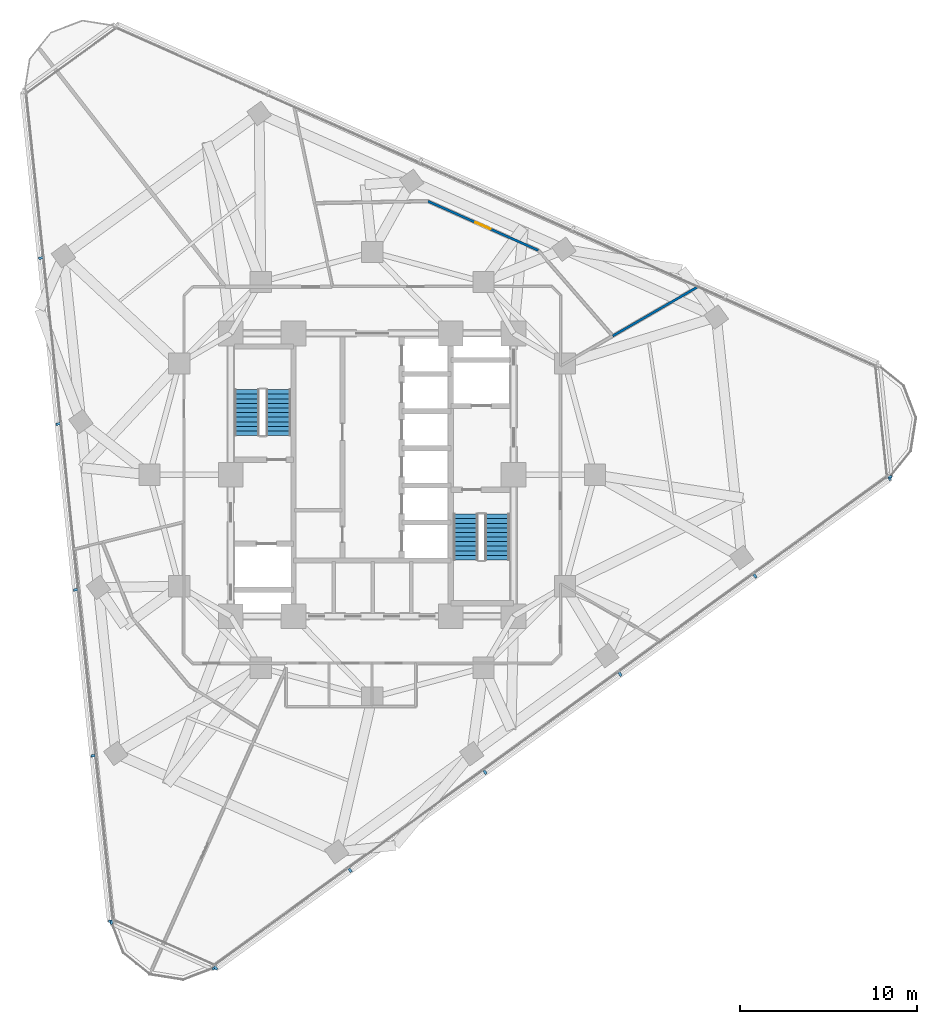
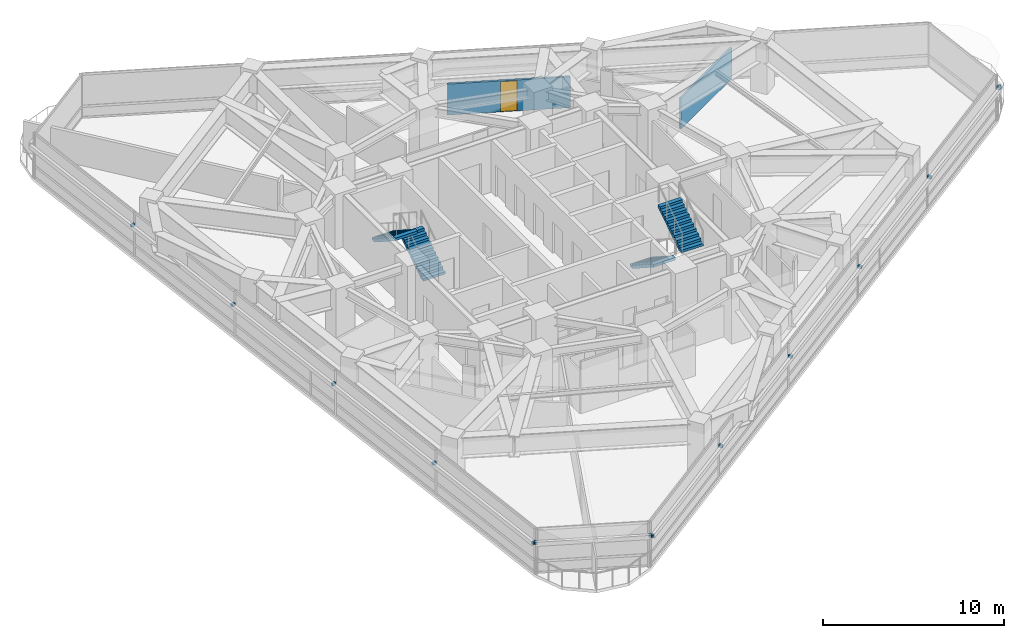
# One storey, part 10 of 14: 14 discrete accessories, 4 stair flights, 2 walls, 1 door, 1 opening, 2 elements without a shape of their own.
"""IFC4 building model written with IfcOpenShell, lengths in metres."""

from ifc_helpers import new_model, si_unit, direction, frame, frame_2d, origin, origin_2d, place, context, subcontext, project, spatial, polyline, rectangle, outline, extrude, material, layer, layer_set, type_object, element, fill, aggregate, save


model = new_model("IFC4")

# Units and contexts
model_context = context("Model", 3, precision=1e-05, world=origin(), true_north=direction((0.0, 1.0)))
body_context = subcontext(model_context, "Body", "Model", "MODEL_VIEW")
ifc_project = project(units=[si_unit("LENGTHUNIT", "METRE"), si_unit("AREAUNIT", "SQUARE_METRE"), si_unit("VOLUMEUNIT", "CUBIC_METRE"), si_unit("PLANEANGLEUNIT", "RADIAN"), si_unit("MASSUNIT", "GRAM", prefix="KILO")], contexts=[model_context])

# Site, building, storey
site_placement = place(None, origin())
site = spatial("IfcSite", under=ifc_project, at=site_placement, CompositionType="ELEMENT")
building_placement = place(site_placement, origin())
building = spatial("IfcBuilding", under=site, at=building_placement, Name="Terralouvre Media Tower", CompositionType="ELEMENT")
storey_placement = place(building_placement, frame((0.0, 0.0, 180.5)))
storey = spatial("IfcBuildingStorey", under=building, at=storey_placement, Name="L46", CompositionType="ELEMENT", Elevation=180.5)

# Wall
ifc_material_1 = material(Name="Fire-rated gypsum board drywall partition")
ifc_layer = layer(ifc_material_1, 0.135009765625, Name="Newsroom Acoustic Partition PT-135")
ifc_layer_set = layer_set([ifc_layer], Name="Fire-rated gypsum board drywall partition")
wall_type = type_object("IfcWallType", Name="Newsroom Acoustic Partition PT-135", PredefinedType="PARTITIONING", material=ifc_layer_set)
wall_1_placement = place(storey_placement, frame((18.460205078125, 10.658447265625, 0.0), z_axis=(0.0, 0.0, 1.0), x_axis=(-0.865978736514, -0.500080821373, 0.0)))
element("IfcWall", 1, at=wall_1_placement, inside=storey, type_object=wall_type, Name="L46 Interior Partition 033", PredefinedType="PARTITIONING", context=body_context, shape_type="SweptSolid", body=[
    extrude(rectangle(XDim=5.60205078125, YDim=0.135009765625, at=frame_2d((2.801025390625, 0.0))), origin(), (0.0, 0.0, 1.0), 2.0849609375),
])

# Wall, opening, door
wall_2_placement = place(storey_placement, frame((3.14990234375, 15.48291015625, 0.0), z_axis=(0.0, 0.0, 1.0), x_axis=(0.913536073518, -0.406757719511, 0.0)))
wall_2 = element("IfcWall", 2, at=wall_2_placement, inside=storey, type_object=wall_type, Name="L46 Interior Partition 036", PredefinedType="PARTITIONING", context=body_context, shape_type="SweptSolid", body=[
    extrude(rectangle(XDim=6.83935546875, YDim=0.135009765625, at=frame_2d((3.419677734375, 0.0))), origin(), (0.0, 0.0, 1.0), 2.0849609375),
])
opening_placement = place(wall_2_placement, frame((2.959716796875, 0.0, 0.0)))
opening = element("IfcOpeningElement", 3, at=opening_placement, cuts=wall_2, Name="Opening ID-03-92X206", PredefinedType="OPENING", context=body_context, shape_type="SweptSolid", body=[
    extrude(rectangle(XDim=0.919921875, YDim=2.034912109375, at=frame_2d((0.4599609375, 1.017578125))), frame((0.0, 0.077392578125, 0.0), z_axis=(0.0, -1.0, 0.0), x_axis=(1.0, 0.0, 0.0)), (0.0, 0.0, 1.0), 0.155029296875),
])
ifc_material_2 = material(Name="Engineered hardwood acoustic timber leaf", Category="wood")
door_type = type_object("IfcDoorType", Name="Accessible Restroom and Suite Door ID-03 (920x2065)", OperationType="NOTDEFINED", PredefinedType="DOOR", material=ifc_material_2)
door_placement = place(opening_placement, origin())
door = element("IfcDoor", 4, at=door_placement, inside=storey, type_object=door_type, Name="L46 Staff Quiet Reading Club 5 Door", OperationType="SINGLE_SWING_RIGHT", OverallHeight=2.034912109375, OverallWidth=0.919921875, PredefinedType="DOOR", context=body_context, shape_type="SweptSolid", body=[
    extrude(rectangle(XDim=0.919921875, YDim=2.034912109375, at=frame_2d((0.4599609375, 1.017578125))), frame((0.0, 0.02490234375, 0.0), z_axis=(0.0, -1.0, 0.0), x_axis=(1.0, 0.0, 0.0)), (0.0, 0.0, 1.0), 0.050048828125),
])
fill(opening, door)

# Stair, stair flights
ifc_material_3 = material(Name="Concrete C45/55", Category="concrete")
stair_type_1 = type_object("IfcStairType", Name="Dogleg Stair Assembly ST-01", PredefinedType="HALF_TURN_STAIR", material=ifc_material_3)
stair_1_placement = place(storey_placement, origin())
stair_1 = element("IfcStair", 5, at=stair_1_placement, inside=storey, type_object=stair_type_1, Name="L46 Core Pressurised Exit Stair ST-01", PredefinedType="HALF_TURN_STAIR")
ifc_material_4 = material(Name="Concrete C45/55", Category="concrete")
stair_flight_type = type_object("IfcStairFlightType", Name="Reinforced Concrete Stair Flight SF-RC1", PredefinedType="STRAIGHT", material=ifc_material_4)
stair_flight_1_placement = place(storey_placement, frame((-5.300048828125, 2.219970703125, 0.0), z_axis=(0.0, 0.0, 1.0), x_axis=(0.0, 1.0, 0.0)))
stair_flight_1 = element("IfcStairFlight", 6, at=stair_flight_1_placement, type_object=stair_flight_type, Name="ST-01 flight 1", NumberOfRisers=11, NumberOfTreads=10, PredefinedType="STRAIGHT", RiserHeight=0.168181818, TreadLength=0.26, context=body_context, shape_type="SweptSolid", body=[
    extrude(outline(polyline([(0.0, 0.0), (0.0, 0.168212890625), (0.260009765625, 0.168212890625), (0.260009765625, 0.33642578125), (0.52001953125, 0.33642578125), (0.52001953125, 0.504638671875), (0.780029296875, 0.504638671875), (0.780029296875, 0.672607421875), (1.0400390625, 0.672607421875), (1.0400390625, 0.8408203125), (1.300048828125, 0.8408203125), (1.300048828125, 1.009033203125), (1.56005859375, 1.009033203125), (1.56005859375, 1.17724609375), (1.820068359375, 1.17724609375), (1.820068359375, 1.345458984375), (2.080078125, 1.345458984375), (2.080078125, 1.513671875), (2.340087890625, 1.513671875), (2.340087890625, 1.681884765625), (2.60009765625, 1.681884765625), (2.60009765625, 1.85009765625), (2.60009765625, 1.503173828125), (0.27587890625, 0.0), (0.0, 0.0)])), frame((0.0, 0.699951171875, 0.0), z_axis=(0.0, -1.0, 0.0), x_axis=(1.0, 0.0, 0.0)), (0.0, 0.0, 1.0), 1.39990234375),
])
stair_flight_2_placement = place(storey_placement, frame((-7.080078125, 4.820068359375, 1.85009765625), z_axis=(0.0, 0.0, 1.0), x_axis=(0.0, -1.0, 0.0)))
stair_flight_2 = element("IfcStairFlight", 7, at=stair_flight_2_placement, type_object=stair_flight_type, Name="ST-01 flight 2", NumberOfRisers=11, NumberOfTreads=10, PredefinedType="STRAIGHT", RiserHeight=0.168181818, TreadLength=0.26, context=body_context, shape_type="SweptSolid", body=[
    extrude(outline(polyline([(0.0, 0.0), (0.0, 0.168212890625), (0.260009765625, 0.168212890625), (0.260009765625, 0.33642578125), (0.52001953125, 0.33642578125), (0.52001953125, 0.504638671875), (0.780029296875, 0.504638671875), (0.780029296875, 0.672607421875), (1.0400390625, 0.672607421875), (1.0400390625, 0.8408203125), (1.300048828125, 0.8408203125), (1.300048828125, 1.009033203125), (1.56005859375, 1.009033203125), (1.56005859375, 1.17724609375), (1.820068359375, 1.17724609375), (1.820068359375, 1.345458984375), (2.080078125, 1.345458984375), (2.080078125, 1.513671875), (2.340087890625, 1.513671875), (2.340087890625, 1.681884765625), (2.60009765625, 1.681884765625), (2.60009765625, 1.85009765625), (2.60009765625, 1.503173828125), (0.27587890625, 0.0), (0.0, 0.0)])), frame((0.0, 0.699951171875, 0.0), z_axis=(0.0, -1.0, 0.0), x_axis=(1.0, 0.0, 0.0)), (0.0, 0.0, 1.0), 1.39990234375),
])
aggregate(stair_1, [stair_flight_1, stair_flight_2])

ifc_material_5 = material(Name="Concrete C45/55", Category="concrete")
stair_type_2 = type_object("IfcStairType", Name="Dogleg Stair Assembly ST-02", PredefinedType="HALF_TURN_STAIR", material=ifc_material_5)
stair_2_placement = place(storey_placement, origin())
stair_2 = element("IfcStair", 8, at=stair_2_placement, inside=storey, type_object=stair_type_2, Name="L46 Core Pressurised Exit Stair ST-02", PredefinedType="HALF_TURN_STAIR")
stair_flight_3_placement = place(storey_placement, frame((5.300048828125, -2.219970703125, 0.0), z_axis=(0.0, 0.0, 1.0), x_axis=(0.0, -1.0, 0.0)))
stair_flight_3 = element("IfcStairFlight", 9, at=stair_flight_3_placement, type_object=stair_flight_type, Name="ST-02 flight 1", NumberOfRisers=11, NumberOfTreads=10, PredefinedType="STRAIGHT", RiserHeight=0.168181818, TreadLength=0.26, context=body_context, shape_type="SweptSolid", body=[
    extrude(outline(polyline([(0.0, 0.0), (0.0, 0.168212890625), (0.260009765625, 0.168212890625), (0.260009765625, 0.33642578125), (0.52001953125, 0.33642578125), (0.52001953125, 0.504638671875), (0.780029296875, 0.504638671875), (0.780029296875, 0.672607421875), (1.0400390625, 0.672607421875), (1.0400390625, 0.8408203125), (1.300048828125, 0.8408203125), (1.300048828125, 1.009033203125), (1.56005859375, 1.009033203125), (1.56005859375, 1.17724609375), (1.820068359375, 1.17724609375), (1.820068359375, 1.345458984375), (2.080078125, 1.345458984375), (2.080078125, 1.513671875), (2.340087890625, 1.513671875), (2.340087890625, 1.681884765625), (2.60009765625, 1.681884765625), (2.60009765625, 1.85009765625), (2.60009765625, 1.503173828125), (0.27587890625, 0.0), (0.0, 0.0)])), frame((0.0, 0.699951171875, 0.0), z_axis=(0.0, -1.0, 0.0), x_axis=(1.0, 0.0, 0.0)), (0.0, 0.0, 1.0), 1.39990234375),
])
stair_flight_4_placement = place(storey_placement, frame((7.080078125, -4.820068359375, 1.85009765625), z_axis=(0.0, 0.0, 1.0), x_axis=(0.0, 1.0, 0.0)))
stair_flight_4 = element("IfcStairFlight", 10, at=stair_flight_4_placement, type_object=stair_flight_type, Name="ST-02 flight 2", NumberOfRisers=11, NumberOfTreads=10, PredefinedType="STRAIGHT", RiserHeight=0.168181818, TreadLength=0.26, context=body_context, shape_type="SweptSolid", body=[
    extrude(outline(polyline([(0.0, 0.0), (0.0, 0.168212890625), (0.260009765625, 0.168212890625), (0.260009765625, 0.33642578125), (0.52001953125, 0.33642578125), (0.52001953125, 0.504638671875), (0.780029296875, 0.504638671875), (0.780029296875, 0.672607421875), (1.0400390625, 0.672607421875), (1.0400390625, 0.8408203125), (1.300048828125, 0.8408203125), (1.300048828125, 1.009033203125), (1.56005859375, 1.009033203125), (1.56005859375, 1.17724609375), (1.820068359375, 1.17724609375), (1.820068359375, 1.345458984375), (2.080078125, 1.345458984375), (2.080078125, 1.513671875), (2.340087890625, 1.513671875), (2.340087890625, 1.681884765625), (2.60009765625, 1.681884765625), (2.60009765625, 1.85009765625), (2.60009765625, 1.503173828125), (0.27587890625, 0.0), (0.0, 0.0)])), frame((0.0, 0.699951171875, 0.0), z_axis=(0.0, -1.0, 0.0), x_axis=(1.0, 0.0, 0.0)), (0.0, 0.0, 1.0), 1.39990234375),
])
aggregate(stair_2, [stair_flight_3, stair_flight_4])

# Discrete accessories
ifc_material_6 = material(Name="Anodised extruded aluminium 6063-T6", Category="aluminium")
discrete_accessory_type = type_object("IfcDiscreteAccessoryType", Name="Mullion Stand-Off Baguette Fixing Bracket BK-01", PredefinedType="BRACKET", material=ifc_material_6)
for number, where, z_axis, x_axis, name in (
    (11, (-8.855224609375, -27.898681640625, 2.07421875), (0.0, 0.0, 1.0), (0.809016917383, 0.587785358263, 0.0), "CW-L46-F0 Baguette Outrigger Bracket 1.01"),
    (12, (-1.24853515625, -22.3720703125, 2.07421875), (0.0, 0.0, 1.0), (0.809016917383, 0.587785358263, 0.0), "CW-L46-F0 Baguette Outrigger Bracket 1.02"),
    (13, (6.388671875, -16.8232421875, 2.07421875), (0.0, 0.0, 1.0), (0.809016917383, 0.587785358263, 0.0), "CW-L46-F0 Baguette Outrigger Bracket 1.03"),
    (14, (14.025634765625, -11.274658203125, 2.07421875), (0.0, 0.0, 1.0), (0.809016917383, 0.587785358263, 0.0), "CW-L46-F0 Baguette Outrigger Bracket 1.04"),
    (15, (21.662841796875, -5.725830078125, 2.07421875), (0.0, 0.0, 1.0), (0.809016917383, 0.587785358263, 0.0), "CW-L46-F0 Baguette Outrigger Bracket 1.05"),
    (16, (29.26953125, -0.19921875, 2.07421875), (0.0, 0.0, 1.0), (0.809016917383, 0.587785358263, 0.0), "CW-L46-F0 Baguette Outrigger Bracket 1.06"),
    (17, (-18.75048828125, 12.267333984375, 2.07421875), (0.0, 0.0, 1.0), (0.104528376236, -0.994521904516, 0.0), "CW-L46-F2 Baguette Outrigger Bracket 1.02"),
    (18, (-17.763671875, 2.87890625, 2.07421875), (0.0, 0.0, 1.0), (0.104528376236, -0.994521904516, 0.0), "CW-L46-F2 Baguette Outrigger Bracket 1.03"),
    (19, (-16.77685546875, -6.50927734375, 2.07421875), (0.0, 0.0, 1.0), (0.104528376236, -0.994521904516, 0.0), "CW-L46-F2 Baguette Outrigger Bracket 1.04"),
    (20, (-15.790283203125, -15.897705078125, 2.07421875), (0.0, 0.0, 1.0), (0.104528376236, -0.994521904516, 0.0), "CW-L46-F2 Baguette Outrigger Bracket 1.05"),
    (21, (-14.807373046875, -25.24853515625, 2.07421875), (0.0, 0.0, 1.0), (0.104528376236, -0.994521904516, 0.0), "CW-L46-F2 Baguette Outrigger Bracket 1.06"),
    (22, (-14.737548828125, -25.315185546875, 2.07421875), (0.0, 0.0, 1.0), (0.913545408199, -0.406736754128, 0.0), "CW-L46-C0 Baguette Outrigger Bracket 1.01"),
    (23, (-8.95166015625, -27.891357421875, 2.07421875), (0.0, 0.0, 1.0), (0.913545408199, -0.406736754128, 0.0), "CW-L46-C0 Baguette Outrigger Bracket 1.02"),
    (24, (29.29248046875, -0.10546875, 2.07421875), (0.0, 0.0, 1.0), (-0.10452850319, 0.994521891172, 0.0), "CW-L46-C1 Baguette Outrigger Bracket 1.01"),
):
    element("IfcDiscreteAccessory", number, at=place(storey_placement, frame(where, z_axis=z_axis, x_axis=x_axis)), inside=storey, type_object=discrete_accessory_type, Name=name, PredefinedType="BRACKET", context=body_context, shape_type="SweptSolid", body=[
        extrude(rectangle(XDim=0.139892578125, YDim=0.239990234375, at=origin_2d()), origin(), (0.0, 0.0, 1.0), 0.179931640625),
    ])

save(model, "model.ifc")
